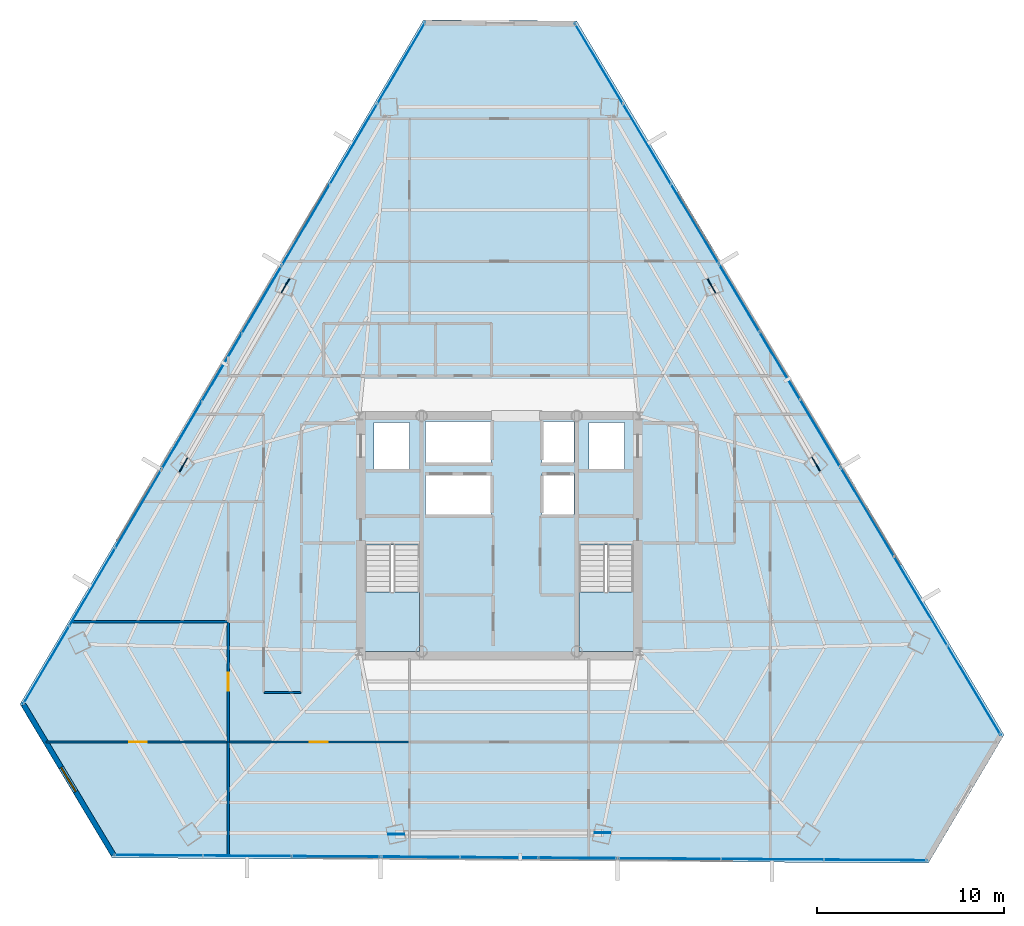
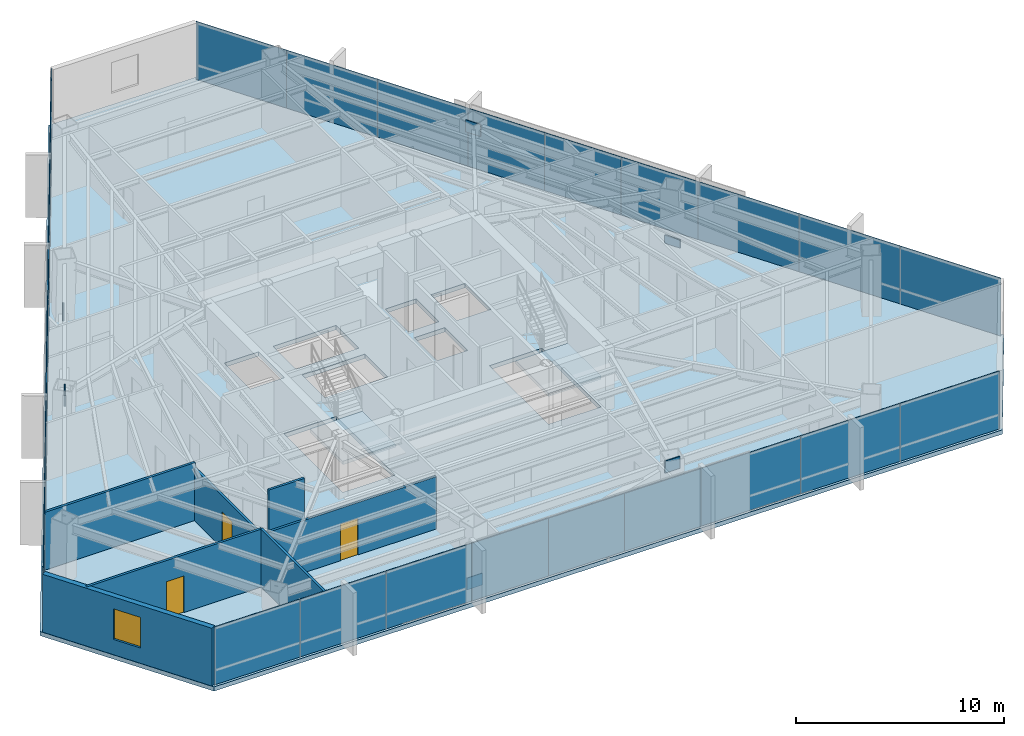
# One storey, part 34 of 41: 33 plates, 7 walls, 3 doors, 3 slabs, 1 window, 4 openings, 11 elements without a shape of their own.
"""IFC4 building model written with IfcOpenShell, lengths in metres."""

from ifc_helpers import new_model, si_unit, direction, frame, frame_2d, origin, origin_2d, place, context, subcontext, project, spatial, polyline, rectangle, outline, extrude, source, transform, mapped, material, layer, layer_set, type_object, type_shapes, element, fill, aggregate, save


model = new_model("IFC4")

# Units and contexts
model_context = context("Model", 3, precision=1e-05, world=origin(), true_north=direction((0.0, 1.0)))
body_context = subcontext(model_context, "Body", "Model", "MODEL_VIEW")
ifc_project = project(units=[si_unit("LENGTHUNIT", "METRE"), si_unit("AREAUNIT", "SQUARE_METRE"), si_unit("VOLUMEUNIT", "CUBIC_METRE"), si_unit("PLANEANGLEUNIT", "RADIAN"), si_unit("MASSUNIT", "GRAM", prefix="KILO")], contexts=[model_context])

# Site, building, storey
site_placement = place(None, origin())
site = spatial("IfcSite", under=ifc_project, at=site_placement, CompositionType="ELEMENT")
building_placement = place(site_placement, origin())
building = spatial("IfcBuilding", under=site, at=building_placement, Name="Caelisora Broadcast Tower", CompositionType="ELEMENT")
storey_placement = place(building_placement, frame((0.0, 0.0, 169.449951171875)))
storey = spatial("IfcBuildingStorey", under=building, at=storey_placement, Name="L44", CompositionType="ELEMENT", Elevation=169.449951171875)

# Slab
ifc_material_1 = material(Name="Concrete 40 MPa (AS 3600 N40)", Category="concrete")
ifc_layer_1 = layer(ifc_material_1, 0.25, Name="Concrete 40 MPa (AS 3600 N40)")
ifc_layer_set_1 = layer_set([ifc_layer_1], Name="Concrete 40 MPa (AS 3600 N40)")
slab_type_1 = type_object("IfcSlabType", Name="SL04", PredefinedType="FLOOR", material=ifc_layer_set_1)
slab_1_placement = place(storey_placement, frame((0.0, 0.0, -0.25)))
element("IfcSlab", 1, at=slab_1_placement, inside=storey, type_object=slab_type_1, Name="L44 suspended floor SL04", PredefinedType="FLOOR", context=body_context, shape_type="SweptSolid", body=[
    extrude(outline(polyline([(42.14404296875, 51.135009765625), (33.948974609375, 51.18896484375), (12.35595703125, 14.575927734375), (17.280029296875, 6.35205078125), (60.966064453125, 6.06396484375), (65.01611328125, 12.931884765625), (42.14404296875, 51.135009765625)]), holes=[polyline([(30.820068359375, 17.39990234375), (33.739990234375, 17.39990234375), (33.739990234375, 23.080078125), (30.820068359375, 23.080078125), (30.820068359375, 17.39990234375)]), polyline([(42.260009765625, 17.39990234375), (45.179931640625, 17.39990234375), (45.179931640625, 23.080078125), (42.260009765625, 23.080078125), (42.260009765625, 17.39990234375)]), polyline([(42.800048828125, 27.14990234375), (44.699951171875, 27.14990234375), (44.699951171875, 29.64990234375), (42.800048828125, 29.64990234375), (42.800048828125, 27.14990234375)]), polyline([(40.300048828125, 24.719970703125), (42.0, 24.719970703125), (42.0, 26.919921875), (40.300048828125, 26.919921875), (40.300048828125, 24.719970703125)]), polyline([(40.300048828125, 27.5), (42.0, 27.5), (42.0, 29.699951171875), (40.300048828125, 29.699951171875), (40.300048828125, 27.5)]), polyline([(34.050048828125, 24.719970703125), (37.550048828125, 24.719970703125), (37.550048828125, 26.919921875), (34.050048828125, 26.919921875), (34.050048828125, 24.719970703125)]), polyline([(34.050048828125, 27.5), (37.550048828125, 27.5), (37.550048828125, 29.699951171875), (34.050048828125, 29.699951171875), (34.050048828125, 27.5)]), polyline([(31.300048828125, 27.14990234375), (33.199951171875, 27.14990234375), (33.199951171875, 29.64990234375), (31.300048828125, 29.64990234375), (31.300048828125, 27.14990234375)])]), origin(), (0.0, 0.0, 1.0), 0.25),
])

# Stair, slab
stair_type_1 = type_object("IfcStairType", Name="ST-1", PredefinedType="HALF_TURN_STAIR", material=ifc_material_1)
stair_1_placement = place(storey_placement, origin())
stair_1 = element("IfcStair", 2, at=stair_1_placement, inside=storey, type_object=stair_type_1, Name="L44 West Fire-Isolated Tower Stair", PredefinedType="HALF_TURN_STAIR")
ifc_layer_2 = layer(ifc_material_1, 0.199951171875, Name="Concrete 40 MPa (AS 3600 N40)")
ifc_layer_set_2 = layer_set([ifc_layer_2], Name="Concrete 40 MPa (AS 3600 N40)")
slab_type_2 = type_object("IfcSlabType", Name="STL-1", PredefinedType="LANDING", material=ifc_layer_set_2)
slab_2_placement = place(storey_placement, frame((0.0, 0.0, 1.625)))
slab_2 = element("IfcSlab", 3, at=slab_2_placement, type_object=slab_type_2, Name="ST-1 landing 1", PredefinedType="LANDING", context=body_context, shape_type="SweptSolid", body=[
    extrude(outline(polyline([(30.820068359375, 20.580078125), (30.820068359375, 17.39990234375), (33.739990234375, 17.39990234375), (33.739990234375, 20.580078125), (30.820068359375, 20.580078125)])), origin(), (0.0, 0.0, 1.0), 0.199951171875),
])
aggregate(stair_1, [slab_2])

stair_type_2 = type_object("IfcStairType", Name="ST-2", PredefinedType="HALF_TURN_STAIR", material=ifc_material_1)
stair_2_placement = place(storey_placement, origin())
stair_2 = element("IfcStair", 4, at=stair_2_placement, inside=storey, type_object=stair_type_2, Name="L44 East Fire-Isolated Tower Stair", PredefinedType="HALF_TURN_STAIR")
slab_3_placement = place(storey_placement, frame((0.0, 0.0, 1.625)))
slab_3 = element("IfcSlab", 5, at=slab_3_placement, type_object=slab_type_2, Name="ST-2 landing 1", PredefinedType="LANDING", context=body_context, shape_type="SweptSolid", body=[
    extrude(outline(polyline([(42.260009765625, 20.580078125), (42.260009765625, 17.39990234375), (45.179931640625, 17.39990234375), (45.179931640625, 20.580078125), (42.260009765625, 20.580078125)])), origin(), (0.0, 0.0, 1.0), 0.199951171875),
])
aggregate(stair_2, [slab_3])

# Plates
ifc_material_2 = material(Name="Steel Grade 350 L15 (AS/NZS 3678)", Category="steel")
ifc_layer_3 = layer(ifc_material_2, 0.050048828125, Name="Steel Grade 350 L15 (AS/NZS 3678)")
ifc_layer_set_3 = layer_set([ifc_layer_3], Name="Steel Grade 350 L15 (AS/NZS 3678)")
plate_type_1 = type_object("IfcPlateType", Name="GP03", PredefinedType="USERDEFINED", material=ifc_layer_set_3)
shared_shape_1 = source(origin(), body_context, "Body", "SweptSolid", [
    extrude(rectangle(XDim=0.85009765625, YDim=0.050048828125, at=origin_2d()), origin(), (0.0, 0.0, 1.0), 0.699951171875),
])
type_shapes(plate_type_1, [shared_shape_1])
for number, where, z_axis, x_axis, name in (
    (6, (26.562744140625, 36.970703125, -0.22998046875), (0.0, 0.0, 1.0), (-0.5, -0.866025403784, 0.0), "L44 gusset plate GP03 (ND-L44-C02B)"),
    (7, (21.102783203125, 27.369384765625, 2.72998046875), (0.0, 0.0, 1.0), (-0.5, -0.866025403784, 0.0), "L44 gusset plate GP03 (ND-L44-C03T)"),
    (8, (32.485595703125, 7.609619140625, -0.22998046875), (0.0, 0.0, 1.0), (1.0, 0.0, 0.0), "L44 gusset plate GP03 (ND-L44-C06B)"),
    (9, (43.53076171875, 7.681884765625, 2.72998046875), (0.0, 0.0, 1.0), (1.0, 0.0, 0.0), "L44 gusset plate GP03 (ND-L44-C07T)"),
    (10, (54.95166015625, 27.419677734375, -0.22998046875), (0.0, 0.0, 1.0), (-0.5, 0.866025403784, 0.0), "L44 gusset plate GP03 (ND-L44-C10B)"),
    (11, (49.366455078125, 36.94873046875, 2.72998046875), (0.0, 0.0, 1.0), (-0.5, 0.866025403784, 0.0), "L44 gusset plate GP03 (ND-L44-C11T)"),
):
    element("IfcPlate", number, at=place(storey_placement, frame(where, z_axis=z_axis, x_axis=x_axis)), inside=storey, type_object=plate_type_1, Name=name, ObjectType="GUSSET PLATE", PredefinedType="USERDEFINED", context=body_context, shape_type="MappedRepresentation", body=[
        mapped(shared_shape_1, transform((0.0, 0.0, 0.0), scale=1.0)),
    ])

# Curtain wall, plates
ifc_material_3 = material(Name="Unitised Aluminium and Low-E Glass Curtain Wall", Category="glass")
curtain_wall_type_1 = type_object("IfcCurtainWallType", Name="CW-Z3", PredefinedType="NOTDEFINED", material=ifc_material_3)
curtain_wall_1_placement = place(storey_placement, origin())
curtain_wall_1 = element("IfcCurtainWall", 12, at=curtain_wall_1_placement, inside=storey, type_object=curtain_wall_type_1, Name="L44 curtain wall CW-Z3", PredefinedType="NOTDEFINED")
ifc_material_4 = material(Name="Double Glazed Low-E Argon IGU", Category="glass")
ifc_layer_4 = layer(ifc_material_4, 0.031982421875, Name="Double Glazed Low-E Argon IGU")
ifc_layer_set_4 = layer_set([ifc_layer_4], Name="Double Glazed Low-E Argon IGU")
plate_type_2 = type_object("IfcPlateType", Name="CWP-04", PredefinedType="CURTAIN_PANEL", material=ifc_layer_set_4)
shared_shape_2 = source(origin(), body_context, "Body", "SweptSolid", [
    extrude(rectangle(XDim=4.9951171875, YDim=0.031982421875, at=origin_2d()), origin(), (0.0, 0.0, 1.0), 3.39990234375),
])
plate_1_placement = place(storey_placement, frame((43.341796875, 48.84326171875, 0.0), z_axis=(0.0, 0.0, 1.0), x_axis=(0.513691004814, -0.857975262798, 0.0)))
plate_1 = element("IfcPlate", 13, at=plate_1_placement, type_object=plate_type_2, Name="L44-CW-B01 glazed panel #1", PredefinedType="CURTAIN_PANEL", context=body_context, shape_type="MappedRepresentation", body=[
    mapped(shared_shape_2, transform((0.0, 0.0, 0.0), scale=1.0)),
])
plate_2_placement = place(storey_placement, frame((45.90771484375, 44.5576171875, 0.0), z_axis=(0.0, 0.0, 1.0), x_axis=(0.513691004814, -0.857975262798, 0.0)))
plate_2 = element("IfcPlate", 14, at=plate_2_placement, type_object=plate_type_2, Name="L44-CW-B01 glazed panel #2", PredefinedType="CURTAIN_PANEL", context=body_context, shape_type="MappedRepresentation", body=[
    mapped(shared_shape_2, transform((0.0, 0.0, 0.0), scale=1.0)),
])
plate_3_placement = place(storey_placement, frame((48.473388671875, 40.27197265625, 0.0), z_axis=(0.0, 0.0, 1.0), x_axis=(0.513691004814, -0.857975262798, 0.0)))
plate_3 = element("IfcPlate", 15, at=plate_3_placement, type_object=plate_type_2, Name="L44-CW-B01 glazed panel #3", PredefinedType="CURTAIN_PANEL", context=body_context, shape_type="MappedRepresentation", body=[
    mapped(shared_shape_2, transform((0.0, 0.0, 0.0), scale=1.0)),
])
aggregate(curtain_wall_1, [plate_1, plate_2, plate_3])

ifc_material_5 = material(Name="Unitised Aluminium Insulated Shadow-Box Spandrel Curtain Wall", Category="aluminium")
curtain_wall_type_2 = type_object("IfcCurtainWallType", Name="CW-SP2", PredefinedType="NOTDEFINED", material=ifc_material_5)
curtain_wall_2_placement = place(storey_placement, origin())
curtain_wall_2 = element("IfcCurtainWall", 16, at=curtain_wall_2_placement, inside=storey, type_object=curtain_wall_type_2, Name="L44 curtain wall CW-SP2", PredefinedType="NOTDEFINED")
ifc_material_6 = material(Name="Insulated Terracotta Shadow-Box Spandrel Panel", Category="aluminium")
ifc_layer_5 = layer(ifc_material_6, 0.0439453125, Name="Insulated Terracotta Shadow-Box Spandrel Panel")
ifc_layer_set_5 = layer_set([ifc_layer_5], Name="Insulated Terracotta Shadow-Box Spandrel Panel")
plate_type_3 = type_object("IfcPlateType", Name="CWP-10", PredefinedType="CURTAIN_PANEL", material=ifc_layer_set_5)
shared_shape_3 = source(origin(), body_context, "Body", "SweptSolid", [
    extrude(rectangle(XDim=4.222412109375, YDim=0.0439453125, at=origin_2d()), origin(), (0.0, 0.0, 1.0), 3.39990234375),
])
plate_4_placement = place(storey_placement, frame((50.845947265625, 36.30908203125, 0.0), z_axis=(0.0, 0.0, 1.0), x_axis=(0.513691004814, -0.857975262798, 0.0)))
plate_4 = element("IfcPlate", 17, at=plate_4_placement, type_object=plate_type_3, Name="L44-CW-B02 spandrel panel #1", PredefinedType="CURTAIN_PANEL", context=body_context, shape_type="MappedRepresentation", body=[
    mapped(shared_shape_3, transform((0.0, 0.0, 0.0), scale=1.0)),
])
plate_5_placement = place(storey_placement, frame((53.014892578125, 32.686279296875, 0.0), z_axis=(0.0, 0.0, 1.0), x_axis=(0.513691004814, -0.857975262798, 0.0)))
plate_5 = element("IfcPlate", 18, at=plate_5_placement, type_object=plate_type_3, Name="L44-CW-B02 spandrel panel #2", PredefinedType="CURTAIN_PANEL", context=body_context, shape_type="MappedRepresentation", body=[
    mapped(shared_shape_3, transform((0.0, 0.0, 0.0), scale=1.0)),
])
plate_6_placement = place(storey_placement, frame((55.18359375, 29.0634765625, 0.0), z_axis=(0.0, 0.0, 1.0), x_axis=(0.513691004814, -0.857975262798, 0.0)))
plate_6 = element("IfcPlate", 19, at=plate_6_placement, type_object=plate_type_3, Name="L44-CW-B02 spandrel panel #3", PredefinedType="CURTAIN_PANEL", context=body_context, shape_type="MappedRepresentation", body=[
    mapped(shared_shape_3, transform((0.0, 0.0, 0.0), scale=1.0)),
])
aggregate(curtain_wall_2, [plate_4, plate_5, plate_6])

curtain_wall_3_placement = place(storey_placement, origin())
curtain_wall_3 = element("IfcCurtainWall", 20, at=curtain_wall_3_placement, inside=storey, type_object=curtain_wall_type_1, Name="L44 curtain wall CW-Z3", PredefinedType="NOTDEFINED")
shared_shape_4 = source(origin(), body_context, "Body", "SweptSolid", [
    extrude(rectangle(XDim=5.560546875, YDim=0.031982421875, at=origin_2d()), origin(), (0.0, 0.0, 1.0), 3.39990234375),
])
plate_7_placement = place(storey_placement, frame((57.701416015625, 24.858154296875, 0.0), z_axis=(0.0, 0.0, 1.0), x_axis=(0.513691004814, -0.857975262798, 0.0)))
plate_7 = element("IfcPlate", 21, at=plate_7_placement, type_object=plate_type_2, Name="L44-CW-B03 glazed panel #1", PredefinedType="CURTAIN_PANEL", context=body_context, shape_type="MappedRepresentation", body=[
    mapped(shared_shape_4, transform((0.0, 0.0, 0.0), scale=1.0)),
])
plate_8_placement = place(storey_placement, frame((60.5576171875, 20.08740234375, 0.0), z_axis=(0.0, 0.0, 1.0), x_axis=(0.513691004814, -0.857975262798, 0.0)))
plate_8 = element("IfcPlate", 22, at=plate_8_placement, type_object=plate_type_2, Name="L44-CW-B03 glazed panel #2", PredefinedType="CURTAIN_PANEL", context=body_context, shape_type="MappedRepresentation", body=[
    mapped(shared_shape_4, transform((0.0, 0.0, 0.0), scale=1.0)),
])
plate_9_placement = place(storey_placement, frame((63.413818359375, 15.31640625, 0.0), z_axis=(0.0, 0.0, 1.0), x_axis=(0.513691004814, -0.857975262798, 0.0)))
plate_9 = element("IfcPlate", 23, at=plate_9_placement, type_object=plate_type_2, Name="L44-CW-B03 glazed panel #3", PredefinedType="CURTAIN_PANEL", context=body_context, shape_type="MappedRepresentation", body=[
    mapped(shared_shape_4, transform((0.0, 0.0, 0.0), scale=1.0)),
])
aggregate(curtain_wall_3, [plate_7, plate_8, plate_9])

curtain_wall_4_placement = place(storey_placement, origin())
curtain_wall_4 = element("IfcCurtainWall", 24, at=curtain_wall_4_placement, inside=storey, type_object=curtain_wall_type_1, Name="L44 curtain wall CW-Z3", PredefinedType="NOTDEFINED")
shared_shape_5 = source(origin(), body_context, "Body", "SweptSolid", [
    extrude(rectangle(XDim=5.51513671875, YDim=0.031982421875, at=origin_2d()), origin(), (0.0, 0.0, 1.0), 3.39990234375),
])
plate_10_placement = place(storey_placement, frame((58.12353515625, 6.233154296875, 0.0), z_axis=(0.0, 0.0, 1.0), x_axis=(-0.999978006703, 0.006632202536, 0.0)))
plate_10 = element("IfcPlate", 25, at=plate_10_placement, type_object=plate_type_2, Name="L44-CW-B05 glazed panel #1", PredefinedType="CURTAIN_PANEL", context=body_context, shape_type="MappedRepresentation", body=[
    mapped(shared_shape_5, transform((0.0, 0.0, 0.0), scale=1.0)),
])
plate_11_placement = place(storey_placement, frame((52.6083984375, 6.269287109375, 0.0), z_axis=(0.0, 0.0, 1.0), x_axis=(-0.999978006703, 0.006632202536, 0.0)))
plate_11 = element("IfcPlate", 26, at=plate_11_placement, type_object=plate_type_2, Name="L44-CW-B05 glazed panel #2", PredefinedType="CURTAIN_PANEL", context=body_context, shape_type="MappedRepresentation", body=[
    mapped(shared_shape_5, transform((0.0, 0.0, 0.0), scale=1.0)),
])
plate_12_placement = place(storey_placement, frame((47.093505859375, 6.3056640625, 0.0), z_axis=(0.0, 0.0, 1.0), x_axis=(-0.999978006703, 0.006632202536, 0.0)))
plate_12 = element("IfcPlate", 27, at=plate_12_placement, type_object=plate_type_2, Name="L44-CW-B05 glazed panel #3", PredefinedType="CURTAIN_PANEL", context=body_context, shape_type="MappedRepresentation", body=[
    mapped(shared_shape_5, transform((0.0, 0.0, 0.0), scale=1.0)),
])
aggregate(curtain_wall_4, [plate_10, plate_11, plate_12])

curtain_wall_5_placement = place(storey_placement, origin())
curtain_wall_5 = element("IfcCurtainWall", 28, at=curtain_wall_5_placement, inside=storey, type_object=curtain_wall_type_2, Name="L44 curtain wall CW-SP2", PredefinedType="NOTDEFINED")
shared_shape_6 = source(origin(), body_context, "Body", "SweptSolid", [
    extrude(rectangle(XDim=4.222900390625, YDim=0.0439453125, at=origin_2d()), origin(), (0.0, 0.0, 1.0), 3.39990234375),
])
plate_13_placement = place(storey_placement, frame((42.214599609375, 6.337646484375, 0.0), z_axis=(0.0, 0.0, 1.0), x_axis=(-0.999978006703, 0.006632202536, 0.0)))
plate_13 = element("IfcPlate", 29, at=plate_13_placement, type_object=plate_type_3, Name="L44-CW-B06 spandrel panel #1", PredefinedType="CURTAIN_PANEL", context=body_context, shape_type="MappedRepresentation", body=[
    mapped(shared_shape_6, transform((0.0, 0.0, 0.0), scale=1.0)),
])
plate_14_placement = place(storey_placement, frame((37.99169921875, 6.365478515625, 0.0), z_axis=(0.0, 0.0, 1.0), x_axis=(-0.999978006703, 0.006632202536, 0.0)))
plate_14 = element("IfcPlate", 30, at=plate_14_placement, type_object=plate_type_3, Name="L44-CW-B06 spandrel panel #2", PredefinedType="CURTAIN_PANEL", context=body_context, shape_type="MappedRepresentation", body=[
    mapped(shared_shape_6, transform((0.0, 0.0, 0.0), scale=1.0)),
])
plate_15_placement = place(storey_placement, frame((33.76904296875, 6.393310546875, 0.0), z_axis=(0.0, 0.0, 1.0), x_axis=(-0.999978006703, 0.006632202536, 0.0)))
plate_15 = element("IfcPlate", 31, at=plate_15_placement, type_object=plate_type_3, Name="L44-CW-B06 spandrel panel #3", PredefinedType="CURTAIN_PANEL", context=body_context, shape_type="MappedRepresentation", body=[
    mapped(shared_shape_6, transform((0.0, 0.0, 0.0), scale=1.0)),
])
aggregate(curtain_wall_5, [plate_13, plate_14, plate_15])

curtain_wall_6_placement = place(storey_placement, origin())
curtain_wall_6 = element("IfcCurtainWall", 32, at=curtain_wall_6_placement, inside=storey, type_object=curtain_wall_type_1, Name="L44 curtain wall CW-Z3", PredefinedType="NOTDEFINED")
shared_shape_7 = source(origin(), body_context, "Body", "SweptSolid", [
    extrude(rectangle(XDim=4.760986328125, YDim=0.031982421875, at=origin_2d()), origin(), (0.0, 0.0, 1.0), 3.39990234375),
])
plate_16_placement = place(storey_placement, frame((29.267333984375, 6.4228515625, 0.0), z_axis=(0.0, 0.0, 1.0), x_axis=(-0.999978006703, 0.006632202536, 0.0)))
plate_16 = element("IfcPlate", 33, at=plate_16_placement, type_object=plate_type_2, Name="L44-CW-B07 glazed panel #1", PredefinedType="CURTAIN_PANEL", context=body_context, shape_type="MappedRepresentation", body=[
    mapped(shared_shape_7, transform((0.0, 0.0, 0.0), scale=1.0)),
])
plate_17_placement = place(storey_placement, frame((24.50634765625, 6.4541015625, 0.0), z_axis=(0.0, 0.0, 1.0), x_axis=(-0.999978006703, 0.006632202536, 0.0)))
plate_17 = element("IfcPlate", 34, at=plate_17_placement, type_object=plate_type_2, Name="L44-CW-B07 glazed panel #2", PredefinedType="CURTAIN_PANEL", context=body_context, shape_type="MappedRepresentation", body=[
    mapped(shared_shape_7, transform((0.0, 0.0, 0.0), scale=1.0)),
])
plate_18_placement = place(storey_placement, frame((19.74560546875, 6.4853515625, 0.0), z_axis=(0.0, 0.0, 1.0), x_axis=(-0.999978006703, 0.006632202536, 0.0)))
plate_18 = element("IfcPlate", 35, at=plate_18_placement, type_object=plate_type_2, Name="L44-CW-B07 glazed panel #3", PredefinedType="CURTAIN_PANEL", context=body_context, shape_type="MappedRepresentation", body=[
    mapped(shared_shape_7, transform((0.0, 0.0, 0.0), scale=1.0)),
])
aggregate(curtain_wall_6, [plate_16, plate_17, plate_18])

curtain_wall_7_placement = place(storey_placement, origin())
curtain_wall_7 = element("IfcCurtainWall", 36, at=curtain_wall_7_placement, inside=storey, type_object=curtain_wall_type_1, Name="L44 curtain wall CW-Z3", PredefinedType="NOTDEFINED")
shared_shape_8 = source(origin(), body_context, "Body", "SweptSolid", [
    extrude(rectangle(XDim=4.853271484375, YDim=0.031982421875, at=origin_2d()), origin(), (0.0, 0.0, 1.0), 3.39990234375),
])
plate_19_placement = place(storey_placement, frame((13.7626953125, 16.6669921875, 0.0), z_axis=(0.0, 0.0, 1.0), x_axis=(0.507989441341, 0.861363295878, 0.0)))
plate_19 = element("IfcPlate", 37, at=plate_19_placement, type_object=plate_type_2, Name="L44-CW-B09 glazed panel #1", PredefinedType="CURTAIN_PANEL", context=body_context, shape_type="MappedRepresentation", body=[
    mapped(shared_shape_8, transform((0.0, 0.0, 0.0), scale=1.0)),
])
plate_20_placement = place(storey_placement, frame((16.228271484375, 20.847412109375, 0.0), z_axis=(0.0, 0.0, 1.0), x_axis=(0.507989441341, 0.861363295878, 0.0)))
plate_20 = element("IfcPlate", 38, at=plate_20_placement, type_object=plate_type_2, Name="L44-CW-B09 glazed panel #2", PredefinedType="CURTAIN_PANEL", context=body_context, shape_type="MappedRepresentation", body=[
    mapped(shared_shape_8, transform((0.0, 0.0, 0.0), scale=1.0)),
])
plate_21_placement = place(storey_placement, frame((18.693603515625, 25.027587890625, 0.0), z_axis=(0.0, 0.0, 1.0), x_axis=(0.507989441341, 0.861363295878, 0.0)))
plate_21 = element("IfcPlate", 39, at=plate_21_placement, type_object=plate_type_2, Name="L44-CW-B09 glazed panel #3", PredefinedType="CURTAIN_PANEL", context=body_context, shape_type="MappedRepresentation", body=[
    mapped(shared_shape_8, transform((0.0, 0.0, 0.0), scale=1.0)),
])
aggregate(curtain_wall_7, [plate_19, plate_20, plate_21])

curtain_wall_8_placement = place(storey_placement, origin())
curtain_wall_8 = element("IfcCurtainWall", 40, at=curtain_wall_8_placement, inside=storey, type_object=curtain_wall_type_2, Name="L44 curtain wall CW-SP2", PredefinedType="NOTDEFINED")
shared_shape_9 = source(origin(), body_context, "Body", "SweptSolid", [
    extrude(rectangle(XDim=4.22265625, YDim=0.0439453125, at=origin_2d()), origin(), (0.0, 0.0, 1.0), 3.39990234375),
])
type_shapes(plate_type_3, [shared_shape_3, shared_shape_6, shared_shape_9])
plate_22_placement = place(storey_placement, frame((21.00390625, 28.945068359375, 0.0), z_axis=(0.0, 0.0, 1.0), x_axis=(0.507989441341, 0.861363295878, 0.0)))
plate_22 = element("IfcPlate", 41, at=plate_22_placement, type_object=plate_type_3, Name="L44-CW-B10 spandrel panel #1", PredefinedType="CURTAIN_PANEL", context=body_context, shape_type="MappedRepresentation", body=[
    mapped(shared_shape_9, transform((0.0, 0.0, 0.0), scale=1.0)),
])
plate_23_placement = place(storey_placement, frame((23.149169921875, 32.582275390625, 0.0), z_axis=(0.0, 0.0, 1.0), x_axis=(0.507989441341, 0.861363295878, 0.0)))
plate_23 = element("IfcPlate", 42, at=plate_23_placement, type_object=plate_type_3, Name="L44-CW-B10 spandrel panel #2", PredefinedType="CURTAIN_PANEL", context=body_context, shape_type="MappedRepresentation", body=[
    mapped(shared_shape_9, transform((0.0, 0.0, 0.0), scale=1.0)),
])
plate_24_placement = place(storey_placement, frame((25.29443359375, 36.219482421875, 0.0), z_axis=(0.0, 0.0, 1.0), x_axis=(0.507989441341, 0.861363295878, 0.0)))
plate_24 = element("IfcPlate", 43, at=plate_24_placement, type_object=plate_type_3, Name="L44-CW-B10 spandrel panel #3", PredefinedType="CURTAIN_PANEL", context=body_context, shape_type="MappedRepresentation", body=[
    mapped(shared_shape_9, transform((0.0, 0.0, 0.0), scale=1.0)),
])
aggregate(curtain_wall_8, [plate_22, plate_23, plate_24])

curtain_wall_9_placement = place(storey_placement, origin())
curtain_wall_9 = element("IfcCurtainWall", 44, at=curtain_wall_9_placement, inside=storey, type_object=curtain_wall_type_1, Name="L44 curtain wall CW-Z3", PredefinedType="NOTDEFINED")
shared_shape_10 = source(origin(), body_context, "Body", "SweptSolid", [
    extrude(rectangle(XDim=5.027587890625, YDim=0.031982421875, at=origin_2d()), origin(), (0.0, 0.0, 1.0), 3.39990234375),
])
type_shapes(plate_type_2, [shared_shape_2, shared_shape_4, shared_shape_5, shared_shape_7, shared_shape_8, shared_shape_10])
plate_25_placement = place(storey_placement, frame((27.64892578125, 40.2119140625, 0.0), z_axis=(0.0, 0.0, 1.0), x_axis=(0.507989441341, 0.861363295878, 0.0)))
plate_25 = element("IfcPlate", 45, at=plate_25_placement, type_object=plate_type_2, Name="L44-CW-B11 glazed panel #1", PredefinedType="CURTAIN_PANEL", context=body_context, shape_type="MappedRepresentation", body=[
    mapped(shared_shape_10, transform((0.0, 0.0, 0.0), scale=1.0)),
])
plate_26_placement = place(storey_placement, frame((30.202880859375, 44.54248046875, 0.0), z_axis=(0.0, 0.0, 1.0), x_axis=(0.507989441341, 0.861363295878, 0.0)))
plate_26 = element("IfcPlate", 46, at=plate_26_placement, type_object=plate_type_2, Name="L44-CW-B11 glazed panel #2", PredefinedType="CURTAIN_PANEL", context=body_context, shape_type="MappedRepresentation", body=[
    mapped(shared_shape_10, transform((0.0, 0.0, 0.0), scale=1.0)),
])
plate_27_placement = place(storey_placement, frame((32.757080078125, 48.872802734375, 0.0), z_axis=(0.0, 0.0, 1.0), x_axis=(0.507989441341, 0.861363295878, 0.0)))
plate_27 = element("IfcPlate", 47, at=plate_27_placement, type_object=plate_type_2, Name="L44-CW-B11 glazed panel #3", PredefinedType="CURTAIN_PANEL", context=body_context, shape_type="MappedRepresentation", body=[
    mapped(shared_shape_10, transform((0.0, 0.0, 0.0), scale=1.0)),
])
aggregate(curtain_wall_9, [plate_25, plate_26, plate_27])

# Wall, opening, window
ifc_material_7 = material(Name="Insulated Terracotta Spandrel Wall System", Category="masonry")
ifc_layer_6 = layer(ifc_material_7, 0.280029296875, Name="Insulated Terracotta Spandrel Wall System")
ifc_layer_set_6 = layer_set([ifc_layer_6], Name="Insulated Terracotta Spandrel Wall System")
wall_type_1 = type_object("IfcWallType", Name="EW1", PredefinedType="STANDARD", material=ifc_layer_set_6)
wall_1_placement = place(storey_placement, frame((17.349609375, 6.526611328125, 0.0), z_axis=(0.0, 0.0, 1.0), x_axis=(-0.513662507424, 0.857992324247, 0.0)))
wall_1 = element("IfcWall", 48, at=wall_1_placement, inside=storey, type_object=wall_type_1, Name="L44 exterior envelope wall EW1", PredefinedType="STANDARD", context=body_context, shape_type="SweptSolid", body=[
    extrude(rectangle(XDim=9.352783203125, YDim=0.280029296875, at=frame_2d((4.67626953125, 0.0))), origin(), (0.0, 0.0, 1.0), 3.400146484375),
])
opening_1_placement = place(wall_1_placement, frame((3.929931640625, 0.0, 0.89990234375)))
opening_1 = element("IfcOpeningElement", 49, at=opening_1_placement, cuts=wall_1, Name="Opening W02", PredefinedType="OPENING", context=body_context, shape_type="SweptSolid", body=[
    extrude(rectangle(XDim=1.5, YDim=1.800048828125, at=frame_2d((0.75, 0.89990234375))), frame((0.0, 0.152099609375, 0.0), z_axis=(0.0, -1.0, 0.0), x_axis=(1.0, 0.0, 0.0)), (0.0, 0.0, 1.0), 0.303955078125),
])
ifc_material_8 = material(Name="Double Glazed Terracotta-Framed Vision Window", Category="glass")
window_type = type_object("IfcWindowType", Name="W02", PartitioningType="SINGLE_PANEL", PredefinedType="WINDOW", material=ifc_material_8)
window_placement = place(opening_1_placement, origin())
window = element("IfcWindow", 50, at=window_placement, inside=storey, type_object=window_type, Name="L44 window W02 (L44-WN-CH4)", OverallHeight=1.800048828125, OverallWidth=1.5, PartitioningType="SINGLE_PANEL", PredefinedType="WINDOW", context=body_context, shape_type="SweptSolid", body=[
    extrude(rectangle(XDim=1.5, YDim=1.800048828125, at=frame_2d((0.75, 0.89990234375))), frame((0.0, 0.030029296875, 0.0), z_axis=(0.0, -1.0, 0.0), x_axis=(1.0, 0.0, 0.0)), (0.0, 0.0, 1.0), 0.06005859375),
])
fill(opening_1, window)

# Wall, opening, door
ifc_material_9 = material(Name="Acoustic Steel-Stud Plasterboard Partition", Category="gypsum")
ifc_layer_7 = layer(ifc_material_9, 0.1298828125, Name="Acoustic Steel-Stud Plasterboard Partition")
ifc_layer_set_7 = layer_set([ifc_layer_7], Name="Acoustic Steel-Stud Plasterboard Partition")
wall_type_2 = type_object("IfcWallType", Name="PW3", PredefinedType="PARTITIONING", material=ifc_layer_set_7)
wall_2_placement = place(storey_placement, frame((13.738037109375, 12.550048828125, 0.0), z_axis=(0.0, 0.0, 1.0), x_axis=(1.0, 0.0, 0.0)))
wall_2 = element("IfcWall", 51, at=wall_2_placement, inside=storey, type_object=wall_type_2, Name="L44 internal partition PW3", PredefinedType="PARTITIONING", context=body_context, shape_type="SweptSolid", body=[
    extrude(rectangle(XDim=9.757080078125, YDim=0.1298828125, at=frame_2d((4.87841796875, 0.0))), origin(), (0.0, 0.0, 1.0), 3.400146484375),
])
opening_2_placement = place(wall_2_placement, frame((4.452880859375, 0.0, 0.0)))
opening_2 = element("IfcOpeningElement", 52, at=opening_2_placement, cuts=wall_2, Name="Opening D01", PredefinedType="OPENING", context=body_context, shape_type="SweptSolid", body=[
    extrude(rectangle(XDim=0.9599609375, YDim=2.14990234375, at=frame_2d((0.47998046875, 1.074951171875))), frame((0.0, 0.076904296875, 0.0), z_axis=(0.0, -1.0, 0.0), x_axis=(1.0, 0.0, 0.0)), (0.0, 0.0, 1.0), 0.15380859375),
])
ifc_material_10 = material(Name="Solid-Core Timber Acoustic Office Door", Category="wood")
door_type = type_object("IfcDoorType", Name="D01", OperationType="NOTDEFINED", PredefinedType="DOOR", material=ifc_material_10)
door_1_placement = place(opening_2_placement, origin())
door_1 = element("IfcDoor", 53, at=door_1_placement, inside=storey, type_object=door_type, Name="L44 door D01 (L44-DR-P27D1)", OperationType="SINGLE_SWING_RIGHT", OverallHeight=2.14990234375, OverallWidth=0.9599609375, PredefinedType="DOOR", context=body_context, shape_type="SweptSolid", body=[
    extrude(rectangle(XDim=0.9599609375, YDim=2.14990234375, at=frame_2d((0.47998046875, 1.074951171875))), frame((0.0, 0.02490234375, 0.0), z_axis=(0.0, -1.0, 0.0), x_axis=(1.0, 0.0, 0.0)), (0.0, 0.0, 1.0), 0.050048828125),
])
fill(opening_2, door_1)

wall_3_placement = place(storey_placement, frame((23.5048828125, 12.550048828125, 0.0), z_axis=(0.0, 0.0, 1.0), x_axis=(1.0, 0.0, 0.0)))
wall_3 = element("IfcWall", 54, at=wall_3_placement, inside=storey, type_object=wall_type_2, Name="L44 internal partition PW3", PredefinedType="PARTITIONING", context=body_context, shape_type="SweptSolid", body=[
    extrude(rectangle(XDim=9.690185546875, YDim=0.1298828125, at=frame_2d((4.84521484375, 0.0))), origin(), (0.0, 0.0, 1.0), 3.077880859375),
])
opening_3_placement = place(wall_3_placement, frame((4.364990234375, 0.0, 0.0)))
opening_3 = element("IfcOpeningElement", 55, at=opening_3_placement, cuts=wall_3, Name="Opening D01", PredefinedType="OPENING", context=body_context, shape_type="SweptSolid", body=[
    extrude(rectangle(XDim=0.9599609375, YDim=2.14990234375, at=frame_2d((0.47998046875, 1.074951171875))), frame((0.0, 0.076904296875, 0.0), z_axis=(0.0, -1.0, 0.0), x_axis=(1.0, 0.0, 0.0)), (0.0, 0.0, 1.0), 0.15380859375),
])
door_2_placement = place(opening_3_placement, origin())
door_2 = element("IfcDoor", 56, at=door_2_placement, inside=storey, type_object=door_type, Name="L44 door D01 (L44-DR-P29D1)", OperationType="SINGLE_SWING_RIGHT", OverallHeight=2.14990234375, OverallWidth=0.9599609375, PredefinedType="DOOR", context=body_context, shape_type="SweptSolid", body=[
    extrude(rectangle(XDim=0.9599609375, YDim=2.14990234375, at=frame_2d((0.47998046875, 1.074951171875))), frame((0.0, 0.02490234375, 0.0), z_axis=(0.0, -1.0, 0.0), x_axis=(1.0, 0.0, 0.0)), (0.0, 0.0, 1.0), 0.050048828125),
])
fill(opening_3, door_2)

# Wall
wall_4_placement = place(storey_placement, frame((15.12158203125, 18.97998046875, 0.0), z_axis=(0.0, 0.0, 1.0), x_axis=(1.0, 0.0, 0.0)))
element("IfcWall", 57, at=wall_4_placement, inside=storey, type_object=wall_type_2, Name="L44 internal partition PW3", PredefinedType="PARTITIONING", context=body_context, shape_type="SweptSolid", body=[
    extrude(rectangle(XDim=8.37353515625, YDim=0.1298828125, at=frame_2d((4.186767578125, 0.0))), origin(), (0.0, 0.0, 1.0), 3.400146484375),
])

# Wall, opening, door
wall_5_placement = place(storey_placement, frame((23.5, 12.554931640625, 0.0), z_axis=(0.0, 0.0, 1.0), x_axis=(0.0, 1.0, 0.0)))
wall_5 = element("IfcWall", 58, at=wall_5_placement, inside=storey, type_object=wall_type_2, Name="L44 internal partition PW3", PredefinedType="PARTITIONING", context=body_context, shape_type="SweptSolid", body=[
    extrude(rectangle(XDim=6.420166015625, YDim=0.1298828125, at=frame_2d((3.2099609375, 0.0))), origin(), (0.0, 0.0, 1.0), 3.077880859375),
])
opening_4_placement = place(wall_5_placement, frame((2.72998046875, 0.0, 0.0)))
opening_4 = element("IfcOpeningElement", 59, at=opening_4_placement, cuts=wall_5, Name="Opening D01", PredefinedType="OPENING", context=body_context, shape_type="SweptSolid", body=[
    extrude(rectangle(XDim=0.9599609375, YDim=2.14990234375, at=frame_2d((0.47998046875, 1.074951171875))), frame((0.0, 0.076904296875, 0.0), z_axis=(0.0, -1.0, 0.0), x_axis=(1.0, 0.0, 0.0)), (0.0, 0.0, 1.0), 0.15380859375),
])
door_3_placement = place(opening_4_placement, origin())
door_3 = element("IfcDoor", 60, at=door_3_placement, inside=storey, type_object=door_type, Name="L44 door D01 (L44-DR-P44D1)", OperationType="SINGLE_SWING_LEFT", OverallHeight=2.14990234375, OverallWidth=0.9599609375, PredefinedType="DOOR", context=body_context, shape_type="SweptSolid", body=[
    extrude(rectangle(XDim=0.9599609375, YDim=2.14990234375, at=frame_2d((0.47998046875, 1.074951171875))), frame((0.0, 0.02490234375, 0.0), z_axis=(0.0, -1.0, 0.0), x_axis=(1.0, 0.0, 0.0)), (0.0, 0.0, 1.0), 0.050048828125),
])
fill(opening_4, door_3)

# Walls
wall_6_placement = place(storey_placement, frame((23.5, 6.4560546875, 0.0), z_axis=(0.0, 0.0, 1.0), x_axis=(0.0, 1.0, 0.0)))
element("IfcWall", 61, at=wall_6_placement, inside=storey, type_object=wall_type_2, Name="L44 internal partition PW3", PredefinedType="PARTITIONING", context=body_context, shape_type="SweptSolid", body=[
    extrude(rectangle(XDim=6.0888671875, YDim=0.1298828125, at=frame_2d((3.04443359375, 0.0))), origin(), (0.0, 0.0, 1.0), 3.400146484375),
])
wall_7_placement = place(storey_placement, frame((25.405029296875, 15.199951171875, 0.0), z_axis=(0.0, 0.0, 1.0), x_axis=(1.0, 0.0, 0.0)))
element("IfcWall", 62, at=wall_7_placement, inside=storey, type_object=wall_type_2, Name="L44 internal partition PW3", PredefinedType="PARTITIONING", context=body_context, shape_type="SweptSolid", body=[
    extrude(rectangle(XDim=1.989990234375, YDim=0.1298828125, at=frame_2d((0.9951171875, 0.0))), origin(), (0.0, 0.0, 1.0), 3.400146484375),
])

save(model, "model.ifc")
